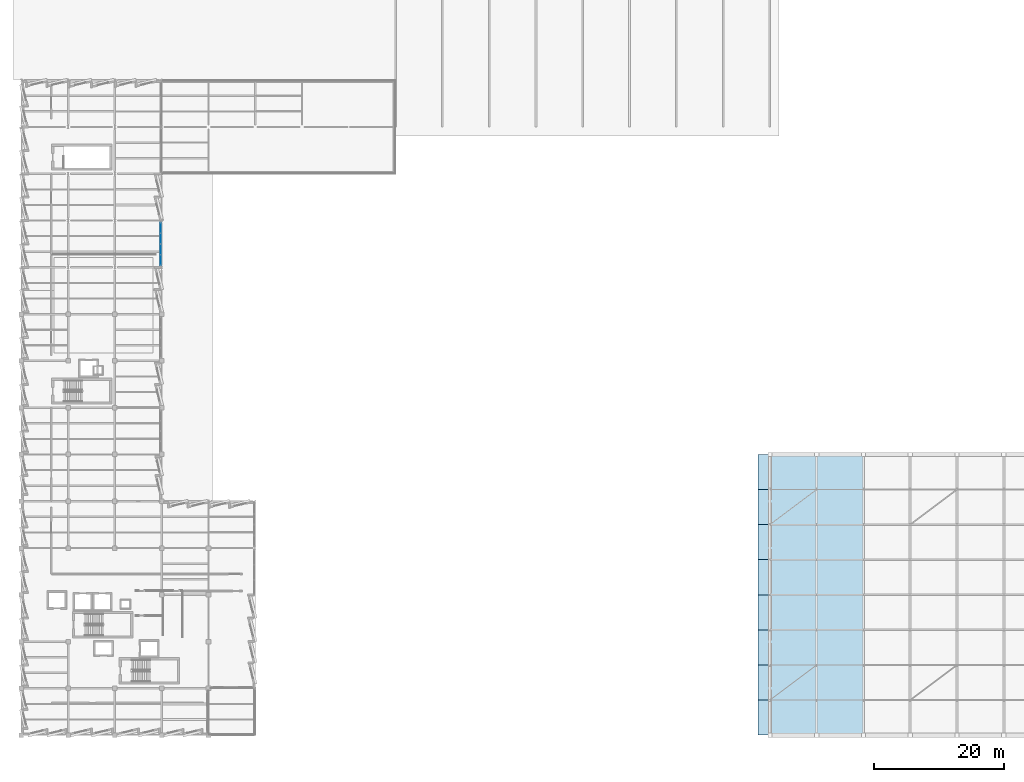
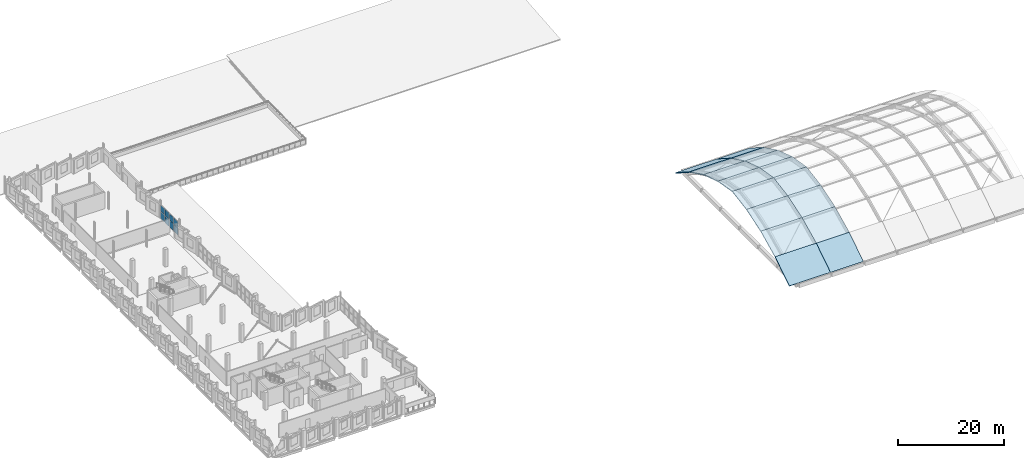
# One storey, part 24 of 38: 16 slabs, 8 plates, 1 element without a shape of its own.
"""IFC4 building model written with IfcOpenShell, lengths in metres."""

from ifc_helpers import new_model, si_unit, direction, frame, origin, origin_2d, place, context, subcontext, project, spatial, polyline, rectangle, outline, extrude, material, layer, layer_set, type_object, element, aggregate, save


model = new_model("IFC4")

# Units and contexts
model_context = context("Model", 3, precision=1e-05, world=origin(), true_north=direction((0.0, 1.0)))
body_context = subcontext(model_context, "Body", "Model", "MODEL_VIEW")
ifc_project = project(units=[si_unit("LENGTHUNIT", "METRE"), si_unit("AREAUNIT", "SQUARE_METRE"), si_unit("VOLUMEUNIT", "CUBIC_METRE"), si_unit("PLANEANGLEUNIT", "RADIAN"), si_unit("MASSUNIT", "GRAM", prefix="KILO")], contexts=[model_context])

# Site, building, storey
site_placement = place(None, origin())
site = spatial("IfcSite", under=ifc_project, at=site_placement, CompositionType="ELEMENT")
building_placement = place(site_placement, origin())
building = spatial("IfcBuilding", under=site, at=building_placement, Name="Kalmorath City Hall", CompositionType="ELEMENT")
storey_placement = place(building_placement, frame((0.0, 0.0, 18.89990234375)))
storey = spatial("IfcBuildingStorey", under=building, at=storey_placement, Name="L04", CompositionType="ELEMENT", Elevation=18.89990234375)

# Slabs
ifc_material_1 = material(Name="Concrete C50/60", Category="concrete")
ifc_layer_1 = layer(ifc_material_1, 0.18994140625)
ifc_layer_set_1 = layer_set([ifc_layer_1], Name="Concrete C50/60")
slab_type = type_object("IfcSlabType", Name="Concrete parabolic thin shell roof 190", PredefinedType="ROOF", material=ifc_layer_set_1)
slab_1_placement = place(storey_placement, frame((113.39990234375, 0.0, 0.0), z_axis=(0.0, -0.542484111101, 0.840066062404), x_axis=(1.0, 0.0, 0.0)))
element("IfcSlab", 1, at=slab_1_placement, inside=storey, type_object=slab_type, Name="Council Chamber parabolic shell panel B1.S1", PredefinedType="ROOF", context=body_context, shape_type="SweptSolid", body=[
    extrude(outline(polyline([(0.0, 0.0), (9.0, 0.0), (9.0, 6.427949640407034), (0.0, 6.427949640407034), (0.0, 0.0)])), origin(), (0.0, 0.0, -1.0), 0.18994140625),
])
slab_2_placement = place(storey_placement, frame((113.39990234375, 5.39990234375, 3.487060546875), z_axis=(0.0, -0.437741977264, 0.899100640274), x_axis=(1.0, 0.0, 0.0)))
element("IfcSlab", 2, at=slab_2_placement, inside=storey, type_object=slab_type, Name="Council Chamber parabolic shell panel B1.S2", PredefinedType="ROOF", context=body_context, shape_type="SweptSolid", body=[
    extrude(outline(polyline([(0.0, 0.0), (9.0, 0.0), (9.0, 6.006164652191218), (0.0, 6.006164652191218), (0.0, 0.0)])), origin(), (0.0, 0.0, -1.0), 0.18994140625),
])
slab_3_placement = place(storey_placement, frame((113.39990234375, 10.800048828125, 6.1162109375), z_axis=(0.0, -0.311635880147, 0.950201598717), x_axis=(1.0, 0.0, 0.0)))
element("IfcSlab", 3, at=slab_3_placement, inside=storey, type_object=slab_type, Name="Council Chamber parabolic shell panel B1.S3", PredefinedType="ROOF", context=body_context, shape_type="SweptSolid", body=[
    extrude(outline(polyline([(0.0, 0.0), (9.0, 0.0), (9.0, 5.6829017663614865), (0.0, 5.6829017663614865), (0.0, 0.0)])), origin(), (0.0, 0.0, -1.0), 0.18994140625),
])
slab_4_placement = place(storey_placement, frame((113.39990234375, 16.199951171875, 7.88720703125), z_axis=(0.0, -0.166675620908, 0.986011783598), x_axis=(1.0, 0.0, 0.0)))
element("IfcSlab", 4, at=slab_4_placement, inside=storey, type_object=slab_type, Name="Council Chamber parabolic shell panel B1.S4", PredefinedType="ROOF", context=body_context, shape_type="SweptSolid", body=[
    extrude(outline(polyline([(0.0, 0.0), (9.0, 0.0), (9.0, 5.476756540036234), (0.0, 5.476756540036234), (0.0, 0.0)])), origin(), (0.0, 0.0, -1.0), 0.18994140625),
])
slab_5_placement = place(storey_placement, frame((113.39990234375, 21.60009765625, 8.800048828125), z_axis=(0.0, 0.166682947291, 0.986010545117), x_axis=(1.0, 0.0, 0.0)))
element("IfcSlab", 5, at=slab_5_placement, inside=storey, type_object=slab_type, Name="Council Chamber parabolic shell panel B1.S5", PredefinedType="ROOF", context=body_context, shape_type="SweptSolid", body=[
    extrude(outline(polyline([(0.0, 0.0), (9.0, 0.0), (9.0, 5.476515814654306), (0.0, 5.476515814654306), (0.0, 0.0)])), origin(), (0.0, 0.0, -1.0), 0.18994140625),
])
slab_6_placement = place(storey_placement, frame((113.39990234375, 27.0, 7.88720703125), z_axis=(0.0, 0.311635880147, 0.950201598717), x_axis=(1.0, 0.0, 0.0)))
element("IfcSlab", 6, at=slab_6_placement, inside=storey, type_object=slab_type, Name="Council Chamber parabolic shell panel B1.S6", PredefinedType="ROOF", context=body_context, shape_type="SweptSolid", body=[
    extrude(outline(polyline([(0.0, 0.0), (9.0, 0.0), (9.0, 5.6829017663614865), (0.0, 5.6829017663614865), (0.0, 0.0)])), origin(), (0.0, 0.0, -1.0), 0.18994140625),
])
slab_7_placement = place(storey_placement, frame((113.39990234375, 32.39990234375, 6.1162109375), z_axis=(0.0, 0.437741977264, 0.899100640274), x_axis=(1.0, 0.0, 0.0)))
element("IfcSlab", 7, at=slab_7_placement, inside=storey, type_object=slab_type, Name="Council Chamber parabolic shell panel B1.S7", PredefinedType="ROOF", context=body_context, shape_type="SweptSolid", body=[
    extrude(outline(polyline([(0.0, 0.0), (9.0, 0.0), (9.0, 6.006164652191218), (0.0, 6.006164652191218), (0.0, 0.0)])), origin(), (0.0, 0.0, -1.0), 0.18994140625),
])
slab_8_placement = place(storey_placement, frame((113.39990234375, 37.800048828125, 3.487060546875), z_axis=(0.0, 0.542484111101, 0.840066062404), x_axis=(1.0, 0.0, 0.0)))
element("IfcSlab", 8, at=slab_8_placement, inside=storey, type_object=slab_type, Name="Council Chamber parabolic shell panel B1.S8", PredefinedType="ROOF", context=body_context, shape_type="SweptSolid", body=[
    extrude(outline(polyline([(0.0, 0.0), (9.0, 0.0), (9.0, 6.427949640407034), (0.0, 6.427949640407034), (0.0, 0.0)])), origin(), (0.0, 0.0, -1.0), 0.18994140625),
])
slab_9_placement = place(storey_placement, frame((122.39990234375, 0.0, 0.0), z_axis=(0.0, -0.542484111101, 0.840066062404), x_axis=(1.0, 0.0, 0.0)))
element("IfcSlab", 9, at=slab_9_placement, inside=storey, type_object=slab_type, Name="Council Chamber parabolic shell panel B2.S1", PredefinedType="ROOF", context=body_context, shape_type="SweptSolid", body=[
    extrude(outline(polyline([(0.0, 0.0), (7.2001953125, 0.0), (7.2001953125, 6.427949640407034), (0.0, 6.427949640407034), (0.0, 0.0)])), origin(), (0.0, 0.0, -1.0), 0.18994140625),
])
slab_10_placement = place(storey_placement, frame((122.39990234375, 5.39990234375, 3.487060546875), z_axis=(0.0, -0.437741977264, 0.899100640274), x_axis=(1.0, 0.0, 0.0)))
element("IfcSlab", 10, at=slab_10_placement, inside=storey, type_object=slab_type, Name="Council Chamber parabolic shell panel B2.S2", PredefinedType="ROOF", context=body_context, shape_type="SweptSolid", body=[
    extrude(outline(polyline([(0.0, 0.0), (7.2001953125, 0.0), (7.2001953125, 6.006164652191219), (0.0, 6.006164652191219), (0.0, 0.0)])), origin(), (0.0, 0.0, -1.0), 0.18994140625),
])
slab_11_placement = place(storey_placement, frame((122.39990234375, 10.800048828125, 6.1162109375), z_axis=(0.0, -0.311635880147, 0.950201598717), x_axis=(1.0, 0.0, 0.0)))
element("IfcSlab", 11, at=slab_11_placement, inside=storey, type_object=slab_type, Name="Council Chamber parabolic shell panel B2.S3", PredefinedType="ROOF", context=body_context, shape_type="SweptSolid", body=[
    extrude(outline(polyline([(0.0, 0.0), (7.2001953125, 0.0), (7.2001953125, 5.682901766361487), (0.0, 5.682901766361487), (0.0, 0.0)])), origin(), (0.0, 0.0, -1.0), 0.18994140625),
])
slab_12_placement = place(storey_placement, frame((122.39990234375, 16.199951171875, 7.88720703125), z_axis=(0.0, -0.166675620908, 0.986011783598), x_axis=(1.0, 0.0, 0.0)))
element("IfcSlab", 12, at=slab_12_placement, inside=storey, type_object=slab_type, Name="Council Chamber parabolic shell panel B2.S4", PredefinedType="ROOF", context=body_context, shape_type="SweptSolid", body=[
    extrude(outline(polyline([(0.0, 0.0), (7.2001953125, 0.0), (7.2001953125, 5.476756540036234), (0.0, 5.476756540036234), (0.0, 0.0)])), origin(), (0.0, 0.0, -1.0), 0.18994140625),
])
slab_13_placement = place(storey_placement, frame((122.39990234375, 21.60009765625, 8.800048828125), z_axis=(0.0, 0.166682947291, 0.986010545117), x_axis=(1.0, 0.0, 0.0)))
element("IfcSlab", 13, at=slab_13_placement, inside=storey, type_object=slab_type, Name="Council Chamber parabolic shell panel B2.S5", PredefinedType="ROOF", context=body_context, shape_type="SweptSolid", body=[
    extrude(outline(polyline([(0.0, 0.0), (7.2001953125, 0.0), (7.2001953125, 5.476515814654307), (0.0, 5.476515814654307), (0.0, 0.0)])), origin(), (0.0, 0.0, -1.0), 0.18994140625),
])
slab_14_placement = place(storey_placement, frame((122.39990234375, 27.0, 7.88720703125), z_axis=(0.0, 0.311635880147, 0.950201598717), x_axis=(1.0, 0.0, 0.0)))
element("IfcSlab", 14, at=slab_14_placement, inside=storey, type_object=slab_type, Name="Council Chamber parabolic shell panel B2.S6", PredefinedType="ROOF", context=body_context, shape_type="SweptSolid", body=[
    extrude(outline(polyline([(0.0, 0.0), (7.2001953125, 0.0), (7.2001953125, 5.682901766361487), (0.0, 5.682901766361487), (0.0, 0.0)])), origin(), (0.0, 0.0, -1.0), 0.18994140625),
])
slab_15_placement = place(storey_placement, frame((122.39990234375, 32.39990234375, 6.1162109375), z_axis=(0.0, 0.437741977264, 0.899100640274), x_axis=(1.0, 0.0, 0.0)))
element("IfcSlab", 15, at=slab_15_placement, inside=storey, type_object=slab_type, Name="Council Chamber parabolic shell panel B2.S7", PredefinedType="ROOF", context=body_context, shape_type="SweptSolid", body=[
    extrude(outline(polyline([(0.0, 0.0), (7.2001953125, 0.0), (7.2001953125, 6.006164652191219), (0.0, 6.006164652191219), (0.0, 0.0)])), origin(), (0.0, 0.0, -1.0), 0.18994140625),
])
slab_16_placement = place(storey_placement, frame((122.39990234375, 37.800048828125, 3.487060546875), z_axis=(0.0, 0.542484111101, 0.840066062404), x_axis=(1.0, 0.0, 0.0)))
element("IfcSlab", 16, at=slab_16_placement, inside=storey, type_object=slab_type, Name="Council Chamber parabolic shell panel B2.S8", PredefinedType="ROOF", context=body_context, shape_type="SweptSolid", body=[
    extrude(outline(polyline([(0.0, 0.0), (7.2001953125, 0.0), (7.2001953125, 6.427949640407034), (0.0, 6.427949640407034), (0.0, 0.0)])), origin(), (0.0, 0.0, -1.0), 0.18994140625),
])

# Curtain wall, plates
ifc_material_2 = material(Name="Anodised aluminium and laminated glass", Category="aluminium")
curtain_wall_type = type_object("IfcCurtainWallType", Name="Unitised hurricane curtain wall 6670x3208 M1750", PredefinedType="NOTDEFINED", material=ifc_material_2)
curtain_wall_placement = place(storey_placement, origin())
curtain_wall = element("IfcCurtainWall", 17, at=curtain_wall_placement, inside=storey, type_object=curtain_wall_type, Name="L04 curtain wall CW-67X32M18 #165", PredefinedType="NOTDEFINED")
ifc_material_3 = material(Name="Hurricane laminated low-E glass", Category="glass")
ifc_layer_2 = layer(ifc_material_3, 0.028076171875)
ifc_layer_set_2 = layer_set([ifc_layer_2], Name="Hurricane laminated low-E glass")
plate_type = type_object("IfcPlateType", Name="Courtyard solar-control glazed panel 28", PredefinedType="CURTAIN_PANEL", material=ifc_layer_set_2)
plate_1_placement = place(storey_placement, frame((21.43994140625, 78.0849609375, 0.06005859375), z_axis=(0.0, 0.0, 1.0), x_axis=(0.0, -1.0, 0.0)))
plate_1 = element("IfcPlate", 18, at=plate_1_placement, type_object=plate_type, Name="CW-67X32M18 panel 1.1", PredefinedType="CURTAIN_PANEL", context=body_context, shape_type="SweptSolid", body=[
    extrude(rectangle(XDim=1.570068359375, YDim=0.028076171875, at=origin_2d()), origin(), (0.0, 0.0, 1.0), 1.577880859375),
])
plate_2_placement = place(storey_placement, frame((21.43994140625, 78.0849609375, 1.6982421875), z_axis=(0.0, 0.0, 1.0), x_axis=(0.0, -1.0, 0.0)))
plate_2 = element("IfcPlate", 19, at=plate_2_placement, type_object=plate_type, Name="CW-67X32M18 panel 1.2", PredefinedType="CURTAIN_PANEL", context=body_context, shape_type="SweptSolid", body=[
    extrude(rectangle(XDim=1.570068359375, YDim=0.028076171875, at=origin_2d()), origin(), (0.0, 0.0, 1.0), 1.449951171875),
])
plate_3_placement = place(storey_placement, frame((21.43994140625, 76.433837890625, 0.06005859375), z_axis=(0.0, 0.0, 1.0), x_axis=(0.0, -1.0, 0.0)))
plate_3 = element("IfcPlate", 20, at=plate_3_placement, type_object=plate_type, Name="CW-67X32M18 panel 2.1", PredefinedType="CURTAIN_PANEL", context=body_context, shape_type="SweptSolid", body=[
    extrude(rectangle(XDim=1.6025390625, YDim=0.028076171875, at=origin_2d()), origin(), (0.0, 0.0, 1.0), 1.577880859375),
])
plate_4_placement = place(storey_placement, frame((21.43994140625, 76.433837890625, 1.6982421875), z_axis=(0.0, 0.0, 1.0), x_axis=(0.0, -1.0, 0.0)))
plate_4 = element("IfcPlate", 21, at=plate_4_placement, type_object=plate_type, Name="CW-67X32M18 panel 2.2", PredefinedType="CURTAIN_PANEL", context=body_context, shape_type="SweptSolid", body=[
    extrude(rectangle(XDim=1.6025390625, YDim=0.028076171875, at=origin_2d()), origin(), (0.0, 0.0, 1.0), 1.449951171875),
])
plate_5_placement = place(storey_placement, frame((21.43994140625, 74.766357421875, 0.06005859375), z_axis=(0.0, 0.0, 1.0), x_axis=(0.0, -1.0, 0.0)))
plate_5 = element("IfcPlate", 22, at=plate_5_placement, type_object=plate_type, Name="CW-67X32M18 panel 3.1", PredefinedType="CURTAIN_PANEL", context=body_context, shape_type="SweptSolid", body=[
    extrude(rectangle(XDim=1.6025390625, YDim=0.028076171875, at=origin_2d()), origin(), (0.0, 0.0, 1.0), 1.577880859375),
])
plate_6_placement = place(storey_placement, frame((21.43994140625, 74.766357421875, 1.6982421875), z_axis=(0.0, 0.0, 1.0), x_axis=(0.0, -1.0, 0.0)))
plate_6 = element("IfcPlate", 23, at=plate_6_placement, type_object=plate_type, Name="CW-67X32M18 panel 3.2", PredefinedType="CURTAIN_PANEL", context=body_context, shape_type="SweptSolid", body=[
    extrude(rectangle(XDim=1.6025390625, YDim=0.028076171875, at=origin_2d()), origin(), (0.0, 0.0, 1.0), 1.449951171875),
])
plate_7_placement = place(storey_placement, frame((21.43994140625, 73.114990234375, 0.06005859375), z_axis=(0.0, 0.0, 1.0), x_axis=(0.0, -1.0, 0.0)))
plate_7 = element("IfcPlate", 24, at=plate_7_placement, type_object=plate_type, Name="CW-67X32M18 panel 4.1", PredefinedType="CURTAIN_PANEL", context=body_context, shape_type="SweptSolid", body=[
    extrude(rectangle(XDim=1.570068359375, YDim=0.028076171875, at=origin_2d()), origin(), (0.0, 0.0, 1.0), 1.577880859375),
])
plate_8_placement = place(storey_placement, frame((21.43994140625, 73.114990234375, 1.6982421875), z_axis=(0.0, 0.0, 1.0), x_axis=(0.0, -1.0, 0.0)))
plate_8 = element("IfcPlate", 25, at=plate_8_placement, type_object=plate_type, Name="CW-67X32M18 panel 4.2", PredefinedType="CURTAIN_PANEL", context=body_context, shape_type="SweptSolid", body=[
    extrude(rectangle(XDim=1.570068359375, YDim=0.028076171875, at=origin_2d()), origin(), (0.0, 0.0, 1.0), 1.449951171875),
])
aggregate(curtain_wall, [plate_1, plate_2, plate_3, plate_4, plate_5, plate_6, plate_7, plate_8])

save(model, "model.ifc")
